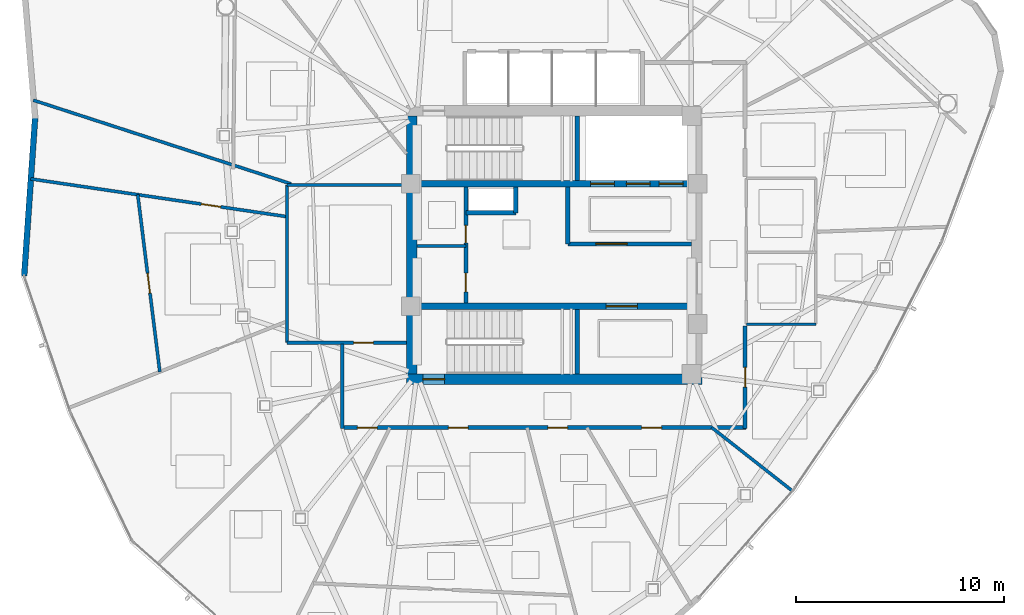
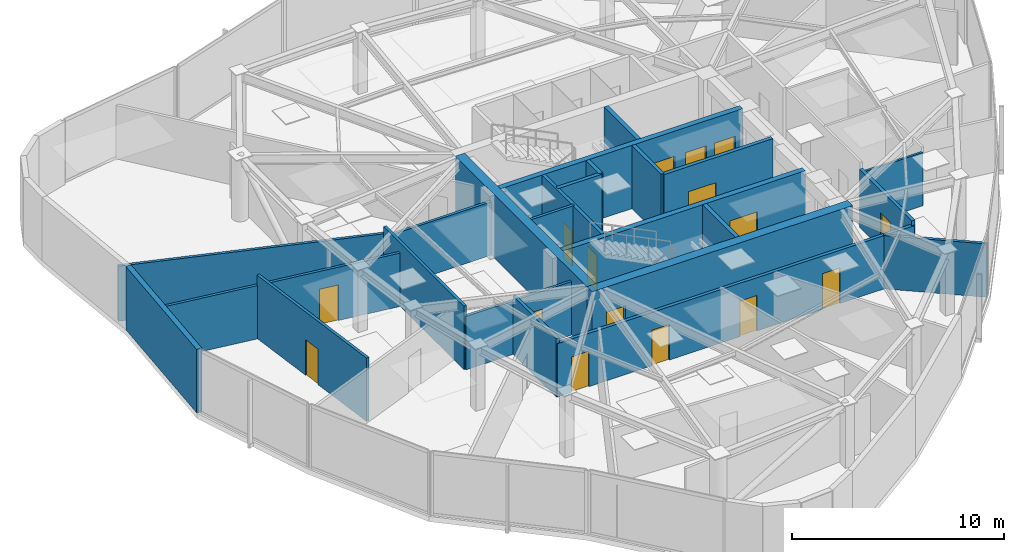
# One storey, part 8 of 13: 24 walls, 16 doors, 16 openings.
"""IFC4 building model written with IfcOpenShell, lengths in metres."""

from ifc_helpers import new_model, si_unit, direction, frame, frame_2d, origin, place, context, subcontext, project, spatial, rectangle, extrude, material, layer, layer_set, type_object, element, fill, save


model = new_model("IFC4")

# Units and contexts
model_context = context("Model", 3, precision=1e-05, world=origin(), true_north=direction((0.0, 1.0)))
body_context = subcontext(model_context, "Body", "Model", "MODEL_VIEW")
ifc_project = project(units=[si_unit("LENGTHUNIT", "METRE"), si_unit("AREAUNIT", "SQUARE_METRE"), si_unit("VOLUMEUNIT", "CUBIC_METRE"), si_unit("PLANEANGLEUNIT", "RADIAN"), si_unit("MASSUNIT", "GRAM", prefix="KILO")], contexts=[model_context])

# Site, building, storey
site_placement = place(None, origin())
site = spatial("IfcSite", under=ifc_project, at=site_placement, CompositionType="ELEMENT")
building_placement = place(site_placement, origin())
building = spatial("IfcBuilding", under=site, at=building_placement, Name="Tavelor Broadcast Tower", CompositionType="ELEMENT")
storey_placement = place(building_placement, frame((0.0, 0.0, 261.64990234375)))
storey = spatial("IfcBuildingStorey", under=building, at=storey_placement, Name="L62", CompositionType="ELEMENT", Elevation=261.64990234375)

# Wall, opening, door
ifc_material_1 = material(Name="Concrete C50/60", Category="concrete")
ifc_layer_1 = layer(ifc_material_1, 0.5)
ifc_layer_set_1 = layer_set([ifc_layer_1], Name="Concrete C50/60")
wall_type_1 = type_object("IfcWallType", Name="Core Shear Wall 500 mm", PredefinedType="SHEAR", material=ifc_layer_set_1)
wall_1_placement = place(storey_placement, frame((42.89990234375, 38.550048828125, 0.0), z_axis=(0.0, 0.0, 1.0), x_axis=(1.0, 0.0, 0.0)))
wall_1 = element("IfcWall", 1, at=wall_1_placement, inside=storey, type_object=wall_type_1, Name="L62 Central Core Shear Wall S", PredefinedType="SHEAR", context=body_context, shape_type="SweptSolid", body=[
    extrude(rectangle(XDim=14.2001953125, YDim=0.5, at=frame_2d((7.10009765625, 0.0))), origin(), (0.0, 0.0, 1.0), 3.650146484375),
])
opening_1_placement = place(wall_1_placement, frame((0.780029296875, 0.0, 0.0)))
opening_1 = element("IfcOpeningElement", 2, at=opening_1_placement, cuts=wall_1, Name="Opening DR11", PredefinedType="OPENING", context=body_context, shape_type="SweptSolid", body=[
    extrude(rectangle(XDim=1.050048828125, YDim=2.199951171875, at=frame_2d((0.52490234375, 1.10009765625))), frame((0.0, 0.260009765625, 0.0), z_axis=(0.0, -1.0, 0.0), x_axis=(1.0, 0.0, 0.0)), (0.0, 0.0, 1.0), 0.52001953125),
])
ifc_material_2 = material(Name="Steel S355", Category="steel")
door_type_1 = type_object("IfcDoorType", Name="Stair Core Fire Escape Door 1050x2200", OperationType="NOTDEFINED", PredefinedType="DOOR", material=ifc_material_2)
door_1_placement = place(opening_1_placement, origin())
door_1 = element("IfcDoor", 3, at=door_1_placement, inside=storey, type_object=door_type_1, Name="L62 Stair ST2 Protected Exit Door", OperationType="SINGLE_SWING_RIGHT", OverallHeight=2.199951171875, OverallWidth=1.050048828125, PredefinedType="DOOR", context=body_context, shape_type="SweptSolid", body=[
    extrude(rectangle(XDim=1.050048828125, YDim=2.199951171875, at=frame_2d((0.52490234375, 1.10009765625))), frame((0.0, 0.02490234375, 0.0), z_axis=(0.0, -1.0, 0.0), x_axis=(1.0, 0.0, 0.0)), (0.0, 0.0, 1.0), 0.050048828125),
])
fill(opening_1, door_1)

# Wall
wall_2_placement = place(storey_placement, frame((43.14990234375, 38.800048828125, 0.0), z_axis=(0.0, 0.0, 1.0), x_axis=(0.0, 1.0, 0.0)))
element("IfcWall", 4, at=wall_2_placement, inside=storey, type_object=wall_type_1, Name="L62 Central Core Shear Wall W", PredefinedType="SHEAR", context=body_context, shape_type="SweptSolid", body=[
    extrude(rectangle(XDim=12.39990234375, YDim=0.5, at=frame_2d((6.199951171875, 0.0))), origin(), (0.0, 0.0, 1.0), 3.650146484375),
])

# Wall, openings, doors
ifc_layer_2 = layer(ifc_material_1, 0.300048828125)
ifc_layer_set_2 = layer_set([ifc_layer_2], Name="Concrete C50/60")
wall_type_2 = type_object("IfcWallType", Name="Core Spine Shear Wall 300 mm C50", PredefinedType="SHEAR", material=ifc_layer_set_2)
wall_3_placement = place(storey_placement, frame((43.39990234375, 47.949951171875, 0.0), z_axis=(0.0, 0.0, 1.0), x_axis=(1.0, 0.0, 0.0)))
wall_3 = element("IfcWall", 5, at=wall_3_placement, inside=storey, type_object=wall_type_2, Name="L62 Central Core Shear Wall SP1", PredefinedType="SHEAR", context=body_context, shape_type="SweptSolid", body=[
    extrude(rectangle(XDim=13.2001953125, YDim=0.300048828125, at=frame_2d((6.60009765625, 0.0))), origin(), (0.0, 0.0, 1.0), 3.650146484375),
])
opening_2_placement = place(wall_3_placement, frame((8.344970703125, 0.0, 0.0)))
opening_2 = element("IfcOpeningElement", 6, at=opening_2_placement, cuts=wall_3, Name="Opening LD02", PredefinedType="OPENING", context=body_context, shape_type="SweptSolid", body=[
    extrude(rectangle(XDim=1.14990234375, YDim=2.199951171875, at=frame_2d((0.574951171875, 1.10009765625))), frame((0.0, 0.16015625, 0.0), z_axis=(0.0, -1.0, 0.0), x_axis=(1.0, 0.0, 0.0)), (0.0, 0.0, 1.0), 0.320068359375),
])
opening_3_placement = place(wall_3_placement, frame((10.06494140625, 0.0, 0.0)))
opening_3 = element("IfcOpeningElement", 7, at=opening_3_placement, cuts=wall_3, Name="Opening LD02", PredefinedType="OPENING", context=body_context, shape_type="SweptSolid", body=[
    extrude(rectangle(XDim=1.14990234375, YDim=2.199951171875, at=frame_2d((0.574951171875, 1.10009765625))), frame((0.0, 0.16015625, 0.0), z_axis=(0.0, -1.0, 0.0), x_axis=(1.0, 0.0, 0.0)), (0.0, 0.0, 1.0), 0.320068359375),
])
opening_4_placement = place(wall_3_placement, frame((11.64501953125, 0.0, 0.0)))
opening_4 = element("IfcOpeningElement", 8, at=opening_4_placement, cuts=wall_3, Name="Opening LD03", PredefinedType="OPENING", context=body_context, shape_type="SweptSolid", body=[
    extrude(rectangle(XDim=1.14990234375, YDim=2.199951171875, at=frame_2d((0.574951171875, 1.10009765625))), frame((0.0, 0.16015625, 0.0), z_axis=(0.0, -1.0, 0.0), x_axis=(1.0, 0.0, 0.0)), (0.0, 0.0, 1.0), 0.320068359375),
])
ifc_material_3 = material(Name="Reinforced Brushed Stainless Steel", Category="concrete")
door_type_2 = type_object("IfcDoorType", Name="Broadcast Goods Lift Sliding Landing Door 1250x2200", OperationType="NOTDEFINED", PredefinedType="DOOR", material=ifc_material_3)
door_2_placement = place(opening_4_placement, origin())
door_2 = element("IfcDoor", 9, at=door_2_placement, inside=storey, type_object=door_type_2, Name="L62 Lift SVL1 Sliding Landing Door", OperationType="SLIDING_TO_LEFT", OverallHeight=2.199951171875, OverallWidth=1.14990234375, PredefinedType="DOOR", context=body_context, shape_type="SweptSolid", body=[
    extrude(rectangle(XDim=1.14990234375, YDim=2.199951171875, at=frame_2d((0.574951171875, 1.10009765625))), frame((0.0, 0.02490234375, 0.0), z_axis=(0.0, -1.0, 0.0), x_axis=(1.0, 0.0, 0.0)), (0.0, 0.0, 1.0), 0.050048828125),
])
fill(opening_4, door_2)
ifc_material_4 = material(Name="Fire-Rated Stainless Steel", Category="steel")
door_type_3 = type_object("IfcDoorType", Name="Firefighting Lift Sliding Landing Door 1200x2200", OperationType="NOTDEFINED", PredefinedType="DOOR", material=ifc_material_4)
door_3_placement = place(opening_2_placement, origin())
door_3 = element("IfcDoor", 10, at=door_3_placement, inside=storey, type_object=door_type_3, Name="L62 Lift FFL1 Sliding Landing Door", OperationType="SLIDING_TO_LEFT", OverallHeight=2.199951171875, OverallWidth=1.14990234375, PredefinedType="DOOR", context=body_context, shape_type="SweptSolid", body=[
    extrude(rectangle(XDim=1.14990234375, YDim=2.199951171875, at=frame_2d((0.574951171875, 1.10009765625))), frame((0.0, 0.02490234375, 0.0), z_axis=(0.0, -1.0, 0.0), x_axis=(1.0, 0.0, 0.0)), (0.0, 0.0, 1.0), 0.050048828125),
])
fill(opening_2, door_3)
door_4_placement = place(opening_3_placement, origin())
door_4 = element("IfcDoor", 11, at=door_4_placement, inside=storey, type_object=door_type_3, Name="L62 Lift FFL2 Sliding Landing Door", OperationType="SLIDING_TO_LEFT", OverallHeight=2.199951171875, OverallWidth=1.14990234375, PredefinedType="DOOR", context=body_context, shape_type="SweptSolid", body=[
    extrude(rectangle(XDim=1.14990234375, YDim=2.199951171875, at=frame_2d((0.574951171875, 1.10009765625))), frame((0.0, 0.02490234375, 0.0), z_axis=(0.0, -1.0, 0.0), x_axis=(1.0, 0.0, 0.0)), (0.0, 0.0, 1.0), 0.050048828125),
])
fill(opening_3, door_4)

# Wall, opening, door
wall_4_placement = place(storey_placement, frame((43.39990234375, 42.050048828125, 0.0), z_axis=(0.0, 0.0, 1.0), x_axis=(1.0, 0.0, 0.0)))
wall_4 = element("IfcWall", 12, at=wall_4_placement, inside=storey, type_object=wall_type_2, Name="L62 Central Core Shear Wall SP2", PredefinedType="SHEAR", context=body_context, shape_type="SweptSolid", body=[
    extrude(rectangle(XDim=13.2001953125, YDim=0.300048828125, at=frame_2d((6.60009765625, 0.0))), origin(), (0.0, 0.0, 1.0), 3.650146484375),
])
opening_5_placement = place(wall_4_placement, frame((9.10009765625, 0.0, 0.0)))
opening_5 = element("IfcOpeningElement", 13, at=opening_5_placement, cuts=wall_4, Name="Opening DR14", PredefinedType="OPENING", context=body_context, shape_type="SweptSolid", body=[
    extrude(rectangle(XDim=1.5, YDim=2.199951171875, at=frame_2d((0.75, 1.10009765625))), frame((0.0, 0.16015625, 0.0), z_axis=(0.0, -1.0, 0.0), x_axis=(1.0, 0.0, 0.0)), (0.0, 0.0, 1.0), 0.320068359375),
])
door_type_4 = type_object("IfcDoorType", Name="Firefighting Lobby Double Fire Door 1500x2200", OperationType="NOTDEFINED", PredefinedType="DOOR", material=ifc_material_2)
door_5_placement = place(opening_5_placement, origin())
door_5 = element("IfcDoor", 14, at=door_5_placement, inside=storey, type_object=door_type_4, Name="L62 Reclaimed South Core Vestibule Door", OperationType="SINGLE_SWING_RIGHT", OverallHeight=2.199951171875, OverallWidth=1.5, PredefinedType="DOOR", context=body_context, shape_type="SweptSolid", body=[
    extrude(rectangle(XDim=1.5, YDim=2.199951171875, at=frame_2d((0.75, 1.10009765625))), frame((0.0, 0.02490234375, 0.0), z_axis=(0.0, -1.0, 0.0), x_axis=(1.0, 0.0, 0.0)), (0.0, 0.0, 1.0), 0.050048828125),
])
fill(opening_5, door_5)

# Wall, openings, doors
ifc_material_5 = material(Name="Calcium Silicate Fire Board 180 mm", Category="gypsum")
ifc_layer_3 = layer(ifc_material_5, 0.179931640625)
ifc_layer_set_3 = layer_set([ifc_layer_3], Name="Calcium Silicate Fire Board 180 mm")
wall_type_3 = type_object("IfcWallType", Name="Fire-Rated Corridor Partition Wall 180 mm", PredefinedType="PARTITIONING", material=ifc_layer_set_3)
wall_5_placement = place(storey_placement, frame((45.75, 42.199951171875, 0.0), z_axis=(0.0, 0.0, 1.0), x_axis=(0.0, 1.0, 0.0)))
wall_5 = element("IfcWall", 15, at=wall_5_placement, inside=storey, type_object=wall_type_3, Name="L62 Core West Service East Wall", PredefinedType="PARTITIONING", context=body_context, shape_type="SweptSolid", body=[
    extrude(rectangle(XDim=5.60009765625, YDim=0.179931640625, at=frame_2d((2.800048828125, 0.0))), origin(), (0.0, 0.0, 1.0), 3.650146484375),
])
opening_6_placement = place(wall_5_placement, frame((0.550048828125, 0.0, 0.0)))
opening_6 = element("IfcOpeningElement", 16, at=opening_6_placement, cuts=wall_5, Name="Opening DR32", PredefinedType="OPENING", context=body_context, shape_type="SweptSolid", body=[
    extrude(rectangle(XDim=0.89990234375, YDim=2.050048828125, at=frame_2d((0.449951171875, 1.02490234375))), frame((0.0, 0.10009765625, 0.0), z_axis=(0.0, -1.0, 0.0), x_axis=(1.0, 0.0, 0.0)), (0.0, 0.0, 1.0), 0.199951171875),
])
opening_7_placement = place(wall_5_placement, frame((2.89990234375, 0.0, 0.0)))
opening_7 = element("IfcOpeningElement", 17, at=opening_7_placement, cuts=wall_5, Name="Opening DR36", PredefinedType="OPENING", context=body_context, shape_type="SweptSolid", body=[
    extrude(rectangle(XDim=0.85009765625, YDim=2.050048828125, at=frame_2d((0.425048828125, 1.02490234375))), frame((0.0, 0.10009765625, 0.0), z_axis=(0.0, -1.0, 0.0), x_axis=(1.0, 0.0, 0.0)), (0.0, 0.0, 1.0), 0.199951171875),
])
ifc_material_6 = material(Name="Timber Solid Core Hardwood", Category="wood")
door_type_5 = type_object("IfcDoorType", Name="Accessible Washroom Door 900x2050", OperationType="NOTDEFINED", PredefinedType="DOOR", material=ifc_material_6)
door_6_placement = place(opening_6_placement, origin())
door_6 = element("IfcDoor", 18, at=door_6_placement, inside=storey, type_object=door_type_5, Name="L62 Core Accessible WC Door", OperationType="SINGLE_SWING_LEFT", OverallHeight=2.050048828125, OverallWidth=0.89990234375, PredefinedType="DOOR", context=body_context, shape_type="SweptSolid", body=[
    extrude(rectangle(XDim=0.89990234375, YDim=2.050048828125, at=frame_2d((0.449951171875, 1.02490234375))), frame((0.0, 0.02490234375, 0.0), z_axis=(0.0, -1.0, 0.0), x_axis=(1.0, 0.0, 0.0)), (0.0, 0.0, 1.0), 0.050048828125),
])
fill(opening_6, door_6)
door_type_6 = type_object("IfcDoorType", Name="Service Room Fire Door 850x2050", OperationType="NOTDEFINED", PredefinedType="DOOR", material=ifc_material_2)
door_7_placement = place(opening_7_placement, origin())
door_7 = element("IfcDoor", 19, at=door_7_placement, inside=storey, type_object=door_type_6, Name="L62 Core Cleaner Store Door", OperationType="SINGLE_SWING_RIGHT", OverallHeight=2.050048828125, OverallWidth=0.85009765625, PredefinedType="DOOR", context=body_context, shape_type="SweptSolid", body=[
    extrude(rectangle(XDim=0.85009765625, YDim=2.050048828125, at=frame_2d((0.425048828125, 1.02490234375))), frame((0.0, 0.02490234375, 0.0), z_axis=(0.0, -1.0, 0.0), x_axis=(1.0, 0.0, 0.0)), (0.0, 0.0, 1.0), 0.050048828125),
])
fill(opening_7, door_7)

# Wall, opening, door
wall_6_placement = place(storey_placement, frame((59.179931640625, 41.10009765625, 0.0), z_axis=(0.0, 0.0, 1.0), x_axis=(0.0, -1.0, 0.0)))
wall_6 = element("IfcWall", 20, at=wall_6_placement, inside=storey, type_object=wall_type_3, Name="L62 Corridor Compartment Wall 03", PredefinedType="PARTITIONING", context=body_context, shape_type="SweptSolid", body=[
    extrude(rectangle(XDim=4.93017578125, YDim=0.179931640625, at=frame_2d((2.465087890625, 0.0))), origin(), (0.0, 0.0, 1.0), 3.35498046875),
])
opening_8_placement = place(wall_6_placement, frame((1.989990234375, 0.0, 0.0)))
opening_8 = element("IfcOpeningElement", 21, at=opening_8_placement, cuts=wall_6, Name="Opening DR18", PredefinedType="OPENING", context=body_context, shape_type="SweptSolid", body=[
    extrude(rectangle(XDim=0.949951171875, YDim=2.050048828125, at=frame_2d((0.47509765625, 1.02490234375))), frame((0.0, 0.10009765625, 0.0), z_axis=(0.0, -1.0, 0.0), x_axis=(1.0, 0.0, 0.0)), (0.0, 0.0, 1.0), 0.199951171875),
])
door_type_7 = type_object("IfcDoorType", Name="Corridor Rated Compartment Door 950x2050", OperationType="NOTDEFINED", PredefinedType="DOOR", material=ifc_material_6)
door_8_placement = place(opening_8_placement, origin())
door_8 = element("IfcDoor", 22, at=door_8_placement, inside=storey, type_object=door_type_7, Name="L62 Talent Script Den Door R1", OperationType="SINGLE_SWING_RIGHT", OverallHeight=2.050048828125, OverallWidth=0.949951171875, PredefinedType="DOOR", context=body_context, shape_type="SweptSolid", body=[
    extrude(rectangle(XDim=0.949951171875, YDim=2.050048828125, at=frame_2d((0.47509765625, 1.02490234375))), frame((0.0, 0.02490234375, 0.0), z_axis=(0.0, -1.0, 0.0), x_axis=(1.0, 0.0, 0.0)), (0.0, 0.0, 1.0), 0.050048828125),
])
fill(opening_8, door_8)

# Wall, openings, doors
wall_7_placement = place(storey_placement, frame((59.22998046875, 36.219970703125, 0.0), z_axis=(0.0, 0.0, 1.0), x_axis=(-1.0, 0.0, 0.0)))
wall_7 = element("IfcWall", 23, at=wall_7_placement, inside=storey, type_object=wall_type_3, Name="L62 Corridor Compartment Wall 04", PredefinedType="PARTITIONING", context=body_context, shape_type="SweptSolid", body=[
    extrude(rectangle(XDim=19.47998046875, YDim=0.179931640625, at=frame_2d((9.739990234375, 0.0))), origin(), (0.0, 0.0, 1.0), 3.0751953125),
])
opening_9_placement = place(wall_7_placement, frame((4.0712890625, 0.0, 0.0)))
opening_9 = element("IfcOpeningElement", 24, at=opening_9_placement, cuts=wall_7, Name="Opening DR18", PredefinedType="OPENING", context=body_context, shape_type="SweptSolid", body=[
    extrude(rectangle(XDim=0.949951171875, YDim=2.050048828125, at=frame_2d((0.47509765625, 1.02490234375))), frame((0.0, 0.10009765625, 0.0), z_axis=(0.0, -1.0, 0.0), x_axis=(1.0, 0.0, 0.0)), (0.0, 0.0, 1.0), 0.199951171875),
])
opening_10_placement = place(wall_7_placement, frame((8.58251953125, 0.0, 0.0)))
opening_10 = element("IfcOpeningElement", 25, at=opening_10_placement, cuts=wall_7, Name="Opening DR18", PredefinedType="OPENING", context=body_context, shape_type="SweptSolid", body=[
    extrude(rectangle(XDim=0.949951171875, YDim=2.050048828125, at=frame_2d((0.47509765625, 1.02490234375))), frame((0.0, 0.10009765625, 0.0), z_axis=(0.0, -1.0, 0.0), x_axis=(1.0, 0.0, 0.0)), (0.0, 0.0, 1.0), 0.199951171875),
])
opening_11_placement = place(wall_7_placement, frame((13.3720703125, 0.0, 0.0)))
opening_11 = element("IfcOpeningElement", 26, at=opening_11_placement, cuts=wall_7, Name="Opening DR18", PredefinedType="OPENING", context=body_context, shape_type="SweptSolid", body=[
    extrude(rectangle(XDim=0.949951171875, YDim=2.050048828125, at=frame_2d((0.47509765625, 1.02490234375))), frame((0.0, 0.10009765625, 0.0), z_axis=(0.0, -1.0, 0.0), x_axis=(1.0, 0.0, 0.0)), (0.0, 0.0, 1.0), 0.199951171875),
])
opening_12_placement = place(wall_7_placement, frame((17.747314453125, 0.0, 0.0)))
opening_12 = element("IfcOpeningElement", 27, at=opening_12_placement, cuts=wall_7, Name="Opening DR18", PredefinedType="OPENING", context=body_context, shape_type="SweptSolid", body=[
    extrude(rectangle(XDim=0.949951171875, YDim=2.050048828125, at=frame_2d((0.47509765625, 1.02490234375))), frame((0.0, 0.10009765625, 0.0), z_axis=(0.0, -1.0, 0.0), x_axis=(1.0, 0.0, 0.0)), (0.0, 0.0, 1.0), 0.199951171875),
])
door_9_placement = place(opening_9_placement, origin())
door_9 = element("IfcDoor", 28, at=door_9_placement, inside=storey, type_object=door_type_7, Name="L62 Editorial Quiet Study Door R2", OperationType="SINGLE_SWING_LEFT", OverallHeight=2.050048828125, OverallWidth=0.949951171875, PredefinedType="DOOR", context=body_context, shape_type="SweptSolid", body=[
    extrude(rectangle(XDim=0.949951171875, YDim=2.050048828125, at=frame_2d((0.47509765625, 1.02490234375))), frame((0.0, 0.02490234375, 0.0), z_axis=(0.0, -1.0, 0.0), x_axis=(1.0, 0.0, 0.0)), (0.0, 0.0, 1.0), 0.050048828125),
])
fill(opening_9, door_9)
door_10_placement = place(opening_10_placement, origin())
door_10 = element("IfcDoor", 29, at=door_10_placement, inside=storey, type_object=door_type_7, Name="L62 Broadcast Script Study Door R3", OperationType="SINGLE_SWING_RIGHT", OverallHeight=2.050048828125, OverallWidth=0.949951171875, PredefinedType="DOOR", context=body_context, shape_type="SweptSolid", body=[
    extrude(rectangle(XDim=0.949951171875, YDim=2.050048828125, at=frame_2d((0.47509765625, 1.02490234375))), frame((0.0, 0.02490234375, 0.0), z_axis=(0.0, -1.0, 0.0), x_axis=(1.0, 0.0, 0.0)), (0.0, 0.0, 1.0), 0.050048828125),
])
fill(opening_10, door_10)
door_11_placement = place(opening_11_placement, origin())
door_11 = element("IfcDoor", 30, at=door_11_placement, inside=storey, type_object=door_type_7, Name="L62 Wellness Quiet Room Door R13", OperationType="SINGLE_SWING_LEFT", OverallHeight=2.050048828125, OverallWidth=0.949951171875, PredefinedType="DOOR", context=body_context, shape_type="SweptSolid", body=[
    extrude(rectangle(XDim=0.949951171875, YDim=2.050048828125, at=frame_2d((0.47509765625, 1.02490234375))), frame((0.0, 0.02490234375, 0.0), z_axis=(0.0, -1.0, 0.0), x_axis=(1.0, 0.0, 0.0)), (0.0, 0.0, 1.0), 0.050048828125),
])
fill(opening_11, door_11)
door_12_placement = place(opening_12_placement, origin())
door_12 = element("IfcDoor", 31, at=door_12_placement, inside=storey, type_object=door_type_7, Name="L62 Presenter Quiet Snug Door R5", OperationType="SINGLE_SWING_RIGHT", OverallHeight=2.050048828125, OverallWidth=0.949951171875, PredefinedType="DOOR", context=body_context, shape_type="SweptSolid", body=[
    extrude(rectangle(XDim=0.949951171875, YDim=2.050048828125, at=frame_2d((0.47509765625, 1.02490234375))), frame((0.0, 0.02490234375, 0.0), z_axis=(0.0, -1.0, 0.0), x_axis=(1.0, 0.0, 0.0)), (0.0, 0.0, 1.0), 0.050048828125),
])
fill(opening_12, door_12)

# Walls
wall_8_placement = place(storey_placement, frame((39.800048828125, 36.169921875, 0.0), z_axis=(0.0, 0.0, 1.0), x_axis=(0.0, 1.0, 0.0)))
element("IfcWall", 32, at=wall_8_placement, inside=storey, type_object=wall_type_3, Name="L62 Corridor Compartment Wall 05", PredefinedType="PARTITIONING", context=body_context, shape_type="SweptSolid", body=[
    extrude(rectangle(XDim=4.080078125, YDim=0.179931640625, at=frame_2d((2.0400390625, 0.0))), origin(), (0.0, 0.0, 1.0), 3.35498046875),
])
ifc_material_7 = material(Name="Precast Concrete C40/50", Category="concrete")
ifc_layer_4 = layer(ifc_material_7, 0.280029296875)
ifc_layer_set_4 = layer_set([ifc_layer_4], Name="Precast Concrete C40/50")
wall_type_4 = type_object("IfcWallType", Name="Insulated Precast Terracotta Facade Wall 280 mm", PredefinedType="STANDARD", material=ifc_layer_set_4)
wall_9_placement = place(storey_placement, frame((25.031494140625, 51.11181640625, 0.0), z_axis=(0.0, 0.0, 1.0), x_axis=(-0.069110117755, -0.997609037461, 0.0)))
element("IfcWall", 33, at=wall_9_placement, inside=storey, type_object=wall_type_4, Name="L62 Rounded Corner Structural Cladding Pier 06", PredefinedType="STANDARD", context=body_context, shape_type="SweptSolid", body=[
    extrude(rectangle(XDim=7.616455078125, YDim=0.280029296875, at=frame_2d((3.80810546875, 0.0))), origin(), (0.0, 0.0, 1.0), 3.650146484375),
])
ifc_material_8 = material(Name="Gypsum Acoustic Plasterboard 150 mm", Category="gypsum")
ifc_layer_5 = layer(ifc_material_8, 0.14990234375)
ifc_layer_set_5 = layer_set([ifc_layer_5], Name="Gypsum Acoustic Plasterboard 150 mm")
wall_type_5 = type_object("IfcWallType", Name="Interior Acoustic Partition Wall 150 mm", PredefinedType="PARTITIONING", material=ifc_layer_set_5)
wall_10_placement = place(storey_placement, frame((43.39990234375, 44.949951171875, 0.0), z_axis=(0.0, 0.0, 1.0), x_axis=(1.0, 0.0, 0.0)))
element("IfcWall", 34, at=wall_10_placement, inside=storey, type_object=wall_type_5, Name="L62 Core Split Wall A", PredefinedType="PARTITIONING", context=body_context, shape_type="SweptSolid", body=[
    extrude(rectangle(XDim=2.35009765625, YDim=0.14990234375, at=frame_2d((1.175048828125, 0.0))), origin(), (0.0, 0.0, 1.0), 3.650146484375),
])

# Wall, opening, door
wall_11_placement = place(storey_placement, frame((37.139892578125, 40.300048828125, 0.0), z_axis=(0.0, 0.0, 1.0), x_axis=(1.0, 0.0, 0.0)))
wall_11 = element("IfcWall", 35, at=wall_11_placement, inside=storey, type_object=wall_type_5, Name="L62 Reclaimed Shaft Pantry South Wall", PredefinedType="PARTITIONING", context=body_context, shape_type="SweptSolid", body=[
    extrude(rectangle(XDim=5.760009765625, YDim=0.14990234375, at=frame_2d((2.8798828125, 0.0))), origin(), (0.0, 0.0, 1.0), 3.0751953125),
])
opening_13_placement = place(wall_11_placement, frame((3.2099609375, 0.0, 0.0)))
opening_13 = element("IfcOpeningElement", 36, at=opening_13_placement, cuts=wall_11, Name="Opening DR18", PredefinedType="OPENING", context=body_context, shape_type="SweptSolid", body=[
    extrude(rectangle(XDim=0.949951171875, YDim=2.050048828125, at=frame_2d((0.47509765625, 1.02490234375))), frame((0.0, 0.0849609375, 0.0), z_axis=(0.0, -1.0, 0.0), x_axis=(1.0, 0.0, 0.0)), (0.0, 0.0, 1.0), 0.169921875),
])
door_13_placement = place(opening_13_placement, origin())
door_13 = element("IfcDoor", 37, at=door_13_placement, inside=storey, type_object=door_type_7, Name="L62 Broadcast IT Patch and Pantry Door", OperationType="SINGLE_SWING_LEFT", OverallHeight=2.050048828125, OverallWidth=0.949951171875, PredefinedType="DOOR", context=body_context, shape_type="SweptSolid", body=[
    extrude(rectangle(XDim=0.949951171875, YDim=2.050048828125, at=frame_2d((0.47509765625, 1.02490234375))), frame((0.0, 0.02490234375, 0.0), z_axis=(0.0, -1.0, 0.0), x_axis=(1.0, 0.0, 0.0)), (0.0, 0.0, 1.0), 0.050048828125),
])
fill(opening_13, door_13)

# Walls
wall_12_placement = place(storey_placement, frame((37.139892578125, 40.300048828125, 0.0), z_axis=(0.0, 0.0, 1.0), x_axis=(0.0, 1.0, 0.0)))
element("IfcWall", 38, at=wall_12_placement, inside=storey, type_object=wall_type_5, Name="L62 Reclaimed Shaft Pantry West Wall", PredefinedType="PARTITIONING", context=body_context, shape_type="SweptSolid", body=[
    extrude(rectangle(XDim=7.579833984375, YDim=0.14990234375, at=frame_2d((3.7900390625, 0.0))), origin(), (0.0, 0.0, 1.0), 3.650146484375),
])
wall_13_placement = place(storey_placement, frame((37.139892578125, 47.8798828125, 0.0), z_axis=(0.0, 0.0, 1.0), x_axis=(1.0, 0.0, 0.0)))
element("IfcWall", 39, at=wall_13_placement, inside=storey, type_object=wall_type_5, Name="L62 Reclaimed Shaft Pantry North Wall", PredefinedType="PARTITIONING", context=body_context, shape_type="SweptSolid", body=[
    extrude(rectangle(XDim=5.760009765625, YDim=0.14990234375, at=frame_2d((2.8798828125, 0.0))), origin(), (0.0, 0.0, 1.0), 3.0751953125),
])
wall_14_placement = place(storey_placement, frame((37.343994140625, 47.93994140625, 0.0), z_axis=(0.0, 0.0, 1.0), x_axis=(-0.951130517785, 0.308789148348, 0.0)))
element("IfcWall", 40, at=wall_14_placement, inside=storey, type_object=wall_type_5, Name="L62 Radial Compartment Wall 02", PredefinedType="PARTITIONING", context=body_context, shape_type="SweptSolid", body=[
    extrude(rectangle(XDim=13.03369140625, YDim=0.14990234375, at=frame_2d((6.516845703125, 0.0))), origin(), (0.0, 0.0, 1.0), 3.175048828125),
])

# Wall, opening, door
wall_15_placement = place(storey_placement, frame((37.080078125, 46.373046875, 0.0), z_axis=(0.0, 0.0, 1.0), x_axis=(-0.989321908316, 0.145746909836, 0.0)))
wall_15 = element("IfcWall", 41, at=wall_15_placement, inside=storey, type_object=wall_type_5, Name="L62 Radial Compartment Wall 03", PredefinedType="PARTITIONING", context=body_context, shape_type="SweptSolid", body=[
    extrude(rectangle(XDim=12.39404296875, YDim=0.14990234375, at=frame_2d((6.197021484375, 0.0))), origin(), (0.0, 0.0, 1.0), 3.0751953125),
])
opening_14_placement = place(wall_15_placement, frame((3.14990234375, 0.0, 0.0)))
opening_14 = element("IfcOpeningElement", 42, at=opening_14_placement, cuts=wall_15, Name="Opening DR18", PredefinedType="OPENING", context=body_context, shape_type="SweptSolid", body=[
    extrude(rectangle(XDim=0.949951171875, YDim=2.050048828125, at=frame_2d((0.47509765625, 1.02490234375))), frame((0.0, 0.0849609375, 0.0), z_axis=(0.0, -1.0, 0.0), x_axis=(1.0, 0.0, 0.0)), (0.0, 0.0, 1.0), 0.169921875),
])
door_14_placement = place(opening_14_placement, origin())
door_14 = element("IfcDoor", 43, at=door_14_placement, inside=storey, type_object=door_type_7, Name="L62 Suite Connecting Door 8", OperationType="SINGLE_SWING_LEFT", OverallHeight=2.050048828125, OverallWidth=0.949951171875, PredefinedType="DOOR", context=body_context, shape_type="SweptSolid", body=[
    extrude(rectangle(XDim=0.949951171875, YDim=2.050048828125, at=frame_2d((0.47509765625, 1.02490234375))), frame((0.0, 0.02490234375, 0.0), z_axis=(0.0, -1.0, 0.0), x_axis=(1.0, 0.0, 0.0)), (0.0, 0.0, 1.0), 0.050048828125),
])
fill(opening_14, door_14)

# Wall
wall_16_placement = place(storey_placement, frame((57.573974609375, 36.219970703125, 0.0), z_axis=(0.0, 0.0, 1.0), x_axis=(0.78630805537, -0.617834639738, 0.0)))
element("IfcWall", 44, at=wall_16_placement, inside=storey, type_object=wall_type_5, Name="L62 Radial Compartment Wall 09", PredefinedType="PARTITIONING", context=body_context, shape_type="SweptSolid", body=[
    extrude(rectangle(XDim=4.943115234375, YDim=0.14990234375, at=frame_2d((2.4716796875, 0.0))), origin(), (0.0, 0.0, 1.0), 3.0751953125),
])

# Wall, opening, door
wall_17_placement = place(storey_placement, frame((29.96826171875, 47.420654296875, 0.0), z_axis=(0.0, 0.0, 1.0), x_axis=(0.123667248189, -0.992323743405, 0.0)))
wall_17 = element("IfcWall", 45, at=wall_17_placement, inside=storey, type_object=wall_type_5, Name="L62 Suite Chord Partition Wall 01", PredefinedType="PARTITIONING", context=body_context, shape_type="SweptSolid", body=[
    extrude(rectangle(XDim=8.585693359375, YDim=0.14990234375, at=frame_2d((4.29296875, 0.0))), origin(), (0.0, 0.0, 1.0), 3.650146484375),
])
opening_15_placement = place(wall_17_placement, frame((3.81787109375, 0.0, 0.0)))
opening_15 = element("IfcOpeningElement", 46, at=opening_15_placement, cuts=wall_17, Name="Opening DR23", PredefinedType="OPENING", context=body_context, shape_type="SweptSolid", body=[
    extrude(rectangle(XDim=0.949951171875, YDim=2.050048828125, at=frame_2d((0.47509765625, 1.02490234375))), frame((0.0, 0.0849609375, 0.0), z_axis=(0.0, -1.0, 0.0), x_axis=(1.0, 0.0, 0.0)), (0.0, 0.0, 1.0), 0.169921875),
])
door_type_8 = type_object("IfcDoorType", Name="Editorial Room Acoustic Door 950x2050", OperationType="NOTDEFINED", PredefinedType="DOOR", material=ifc_material_6)
door_15_placement = place(opening_15_placement, origin())
door_15 = element("IfcDoor", 47, at=door_15_placement, inside=storey, type_object=door_type_8, Name="L62 Outer Suite Partition Door 1", OperationType="SINGLE_SWING_RIGHT", OverallHeight=2.050048828125, OverallWidth=0.949951171875, PredefinedType="DOOR", context=body_context, shape_type="SweptSolid", body=[
    extrude(rectangle(XDim=0.949951171875, YDim=2.050048828125, at=frame_2d((0.47509765625, 1.02490234375))), frame((0.0, 0.02490234375, 0.0), z_axis=(0.0, -1.0, 0.0), x_axis=(1.0, 0.0, 0.0)), (0.0, 0.0, 1.0), 0.050048828125),
])
fill(opening_15, door_15)

# Walls
ifc_material_9 = material(Name="Concrete Blockwork 200 mm", Category="masonry")
ifc_layer_6 = layer(ifc_material_9, 0.199951171875)
ifc_layer_set_6 = layer_set([ifc_layer_6], Name="Concrete Blockwork 200 mm")
wall_type_6 = type_object("IfcWallType", Name="Lift and Riser Shaft Enclosure Wall 200 mm", PredefinedType="PARTITIONING", material=ifc_layer_set_6)
wall_18_placement = place(storey_placement, frame((45.75, 46.550048828125, 0.0), z_axis=(0.0, 0.0, 1.0), x_axis=(1.0, 0.0, 0.0)))
element("IfcWall", 48, at=wall_18_placement, inside=storey, type_object=wall_type_6, Name="L62 Riser Shaft South Wall", PredefinedType="PARTITIONING", context=body_context, shape_type="SweptSolid", body=[
    extrude(rectangle(XDim=2.39990234375, YDim=0.199951171875, at=frame_2d((1.199951171875, 0.0))), origin(), (0.0, 0.0, 1.0), 3.650146484375),
])
wall_19_placement = place(storey_placement, frame((48.14990234375, 46.550048828125, 0.0), z_axis=(0.0, 0.0, 1.0), x_axis=(0.0, 1.0, 0.0)))
element("IfcWall", 49, at=wall_19_placement, inside=storey, type_object=wall_type_6, Name="L62 Riser Shaft East Wall", PredefinedType="PARTITIONING", context=body_context, shape_type="SweptSolid", body=[
    extrude(rectangle(XDim=1.25, YDim=0.199951171875, at=frame_2d((0.625, 0.0))), origin(), (0.0, 0.0, 1.0), 3.650146484375),
])

# Wall, opening, door
wall_20_placement = place(storey_placement, frame((50.64990234375, 45.050048828125, 0.0), z_axis=(0.0, 0.0, 1.0), x_axis=(1.0, 0.0, 0.0)))
wall_20 = element("IfcWall", 50, at=wall_20_placement, inside=storey, type_object=wall_type_6, Name="L62 Firefighting Lobby South Wall", PredefinedType="PARTITIONING", context=body_context, shape_type="SweptSolid", body=[
    extrude(rectangle(XDim=5.9501953125, YDim=0.199951171875, at=frame_2d((2.97509765625, 0.0))), origin(), (0.0, 0.0, 1.0), 3.650146484375),
])
opening_16_placement = place(wall_20_placement, frame((1.35009765625, 0.0, 0.0)))
opening_16 = element("IfcOpeningElement", 51, at=opening_16_placement, cuts=wall_20, Name="Opening DR14", PredefinedType="OPENING", context=body_context, shape_type="SweptSolid", body=[
    extrude(rectangle(XDim=1.5, YDim=2.199951171875, at=frame_2d((0.75, 1.10009765625))), frame((0.0, 0.10986328125, 0.0), z_axis=(0.0, -1.0, 0.0), x_axis=(1.0, 0.0, 0.0)), (0.0, 0.0, 1.0), 0.219970703125),
])
door_16_placement = place(opening_16_placement, origin())
door_16 = element("IfcDoor", 52, at=door_16_placement, inside=storey, type_object=door_type_4, Name="L62 Firefighting Lobby Compartment Door", OperationType="SINGLE_SWING_LEFT", OverallHeight=2.199951171875, OverallWidth=1.5, PredefinedType="DOOR", context=body_context, shape_type="SweptSolid", body=[
    extrude(rectangle(XDim=1.5, YDim=2.199951171875, at=frame_2d((0.75, 1.10009765625))), frame((0.0, 0.02490234375, 0.0), z_axis=(0.0, -1.0, 0.0), x_axis=(1.0, 0.0, 0.0)), (0.0, 0.0, 1.0), 0.050048828125),
])
fill(opening_16, door_16)

# Walls
wall_21_placement = place(storey_placement, frame((50.64990234375, 45.050048828125, 0.0), z_axis=(0.0, 0.0, 1.0), x_axis=(0.0, 1.0, 0.0)))
element("IfcWall", 53, at=wall_21_placement, inside=storey, type_object=wall_type_6, Name="L62 Firefighting Lobby West Wall", PredefinedType="PARTITIONING", context=body_context, shape_type="SweptSolid", body=[
    extrude(rectangle(XDim=2.75, YDim=0.199951171875, at=frame_2d((1.375, 0.0))), origin(), (0.0, 0.0, 1.0), 3.650146484375),
])
ifc_material_10 = material(Name="Moisture-Resistant Plasterboard 120 mm", Category="gypsum")
ifc_layer_7 = layer(ifc_material_10, 0.1201171875)
ifc_layer_set_7 = layer_set([ifc_layer_7], Name="Moisture-Resistant Plasterboard 120 mm")
wall_type_7 = type_object("IfcWallType", Name="Moisture-Resistant Wet-Room Partition 120 mm", PredefinedType="PARTITIONING", material=ifc_layer_set_7)
wall_22_placement = place(storey_placement, frame((59.239990234375, 41.199951171875, 0.0), z_axis=(0.0, 0.0, 1.0), x_axis=(1.0, 0.0, 0.0)))
element("IfcWall", 54, at=wall_22_placement, inside=storey, type_object=wall_type_7, Name="L62 Floor Washrooms South Wall", PredefinedType="PARTITIONING", context=body_context, shape_type="SweptSolid", body=[
    extrude(rectangle(XDim=3.340087890625, YDim=0.1201171875, at=frame_2d((1.669921875, 0.0))), origin(), (0.0, 0.0, 1.0), 3.0751953125),
])
ifc_material_11 = material(Name="Concrete C40/50", Category="concrete")
ifc_layer_8 = layer(ifc_material_11, 0.219970703125)
ifc_layer_set_8 = layer_set([ifc_layer_8], Name="Concrete C40/50")
wall_type_8 = type_object("IfcWallType", Name="Structural Stairwell Shear Wall 220 mm", PredefinedType="SHEAR", material=ifc_layer_set_8)
for number, where, z_axis, x_axis, name in (
    (55, (51.110107421875, 48.10009765625, 0.0), (0.0, 0.0, 1.0), (0.0, 1.0, 0.0), "L62 Stair ST1 Structural Shaft Wall"),
    (56, (51.110107421875, 38.800048828125, 0.0), (0.0, 0.0, 1.0), (0.0, 1.0, 0.0), "L62 Stair ST2 Structural Shaft Wall"),
):
    element("IfcWall", number, at=place(storey_placement, frame(where, z_axis=z_axis, x_axis=x_axis)), inside=storey, type_object=wall_type_8, Name=name, PredefinedType="SHEAR", context=body_context, shape_type="SweptSolid", body=[
        extrude(rectangle(XDim=3.099853515625, YDim=0.219970703125, at=frame_2d((1.5498046875, 0.0))), origin(), (0.0, 0.0, 1.0), 3.650146484375),
    ])

save(model, "model.ifc")
